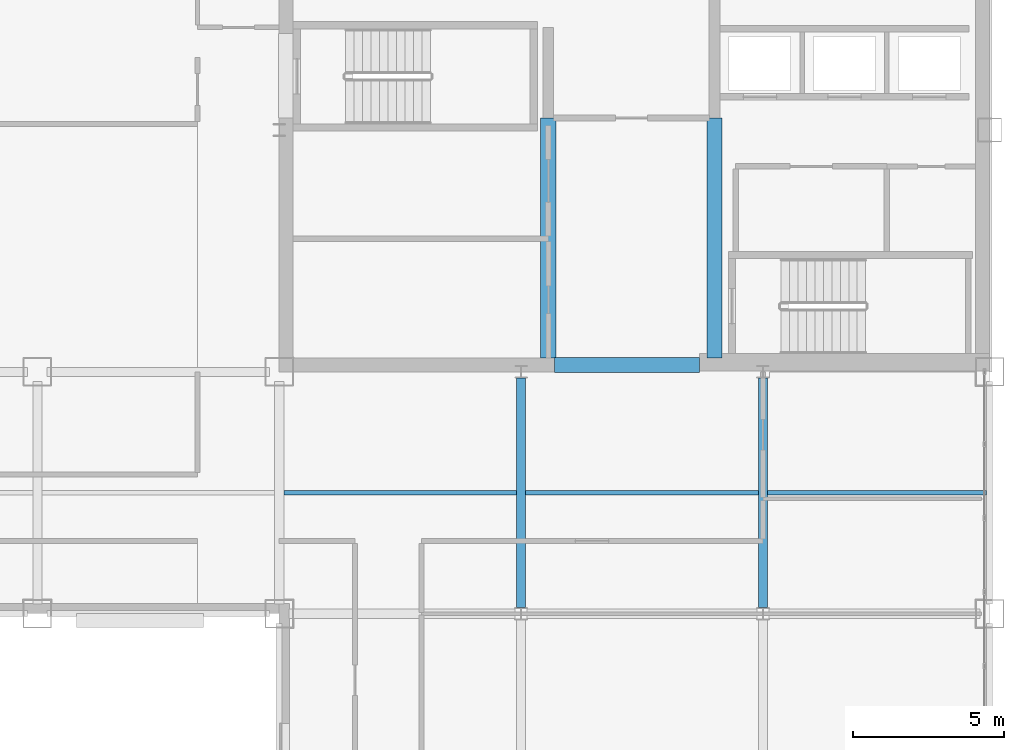
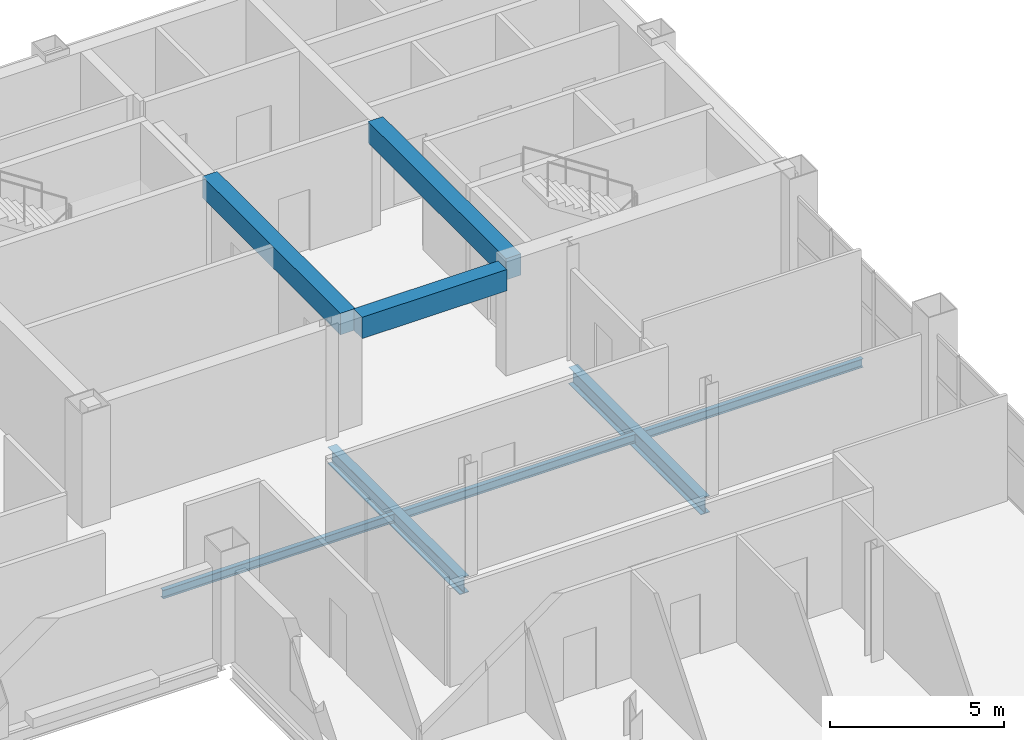
# One storey, part 5 of 12: 8 beams.
"""IFC4 building model written with IfcOpenShell, lengths in metres."""

from ifc_helpers import new_model, si_unit, direction, frame, origin, origin_2d, place, context, subcontext, project, spatial, rectangle, i_section, extrude, material, material_profile, profile_set, type_object, element, save


model = new_model("IFC4")

# Units and contexts
model_context = context("Model", 3, precision=1e-05, world=origin(), true_north=direction((0.0, 1.0)))
body_context = subcontext(model_context, "Body", "Model", "MODEL_VIEW")
ifc_project = project(units=[si_unit("LENGTHUNIT", "METRE"), si_unit("AREAUNIT", "SQUARE_METRE"), si_unit("VOLUMEUNIT", "CUBIC_METRE"), si_unit("PLANEANGLEUNIT", "RADIAN"), si_unit("MASSUNIT", "GRAM", prefix="KILO")], contexts=[model_context])

# Site, building, storey
site_placement = place(None, origin())
site = spatial("IfcSite", under=ifc_project, at=site_placement, CompositionType="ELEMENT")
building_placement = place(site_placement, origin())
building = spatial("IfcBuilding", under=site, at=building_placement, Name="Qianrong Seaharbour Tower", CompositionType="ELEMENT")
storey_placement = place(building_placement, frame((0.0, 0.0, 213.800048828125)))
storey = spatial("IfcBuildingStorey", under=building, at=storey_placement, Name="L51", CompositionType="ELEMENT", Elevation=213.800048828125)

# Beams
ifc_material_1 = material(Name="Structural steel SN490B", Category="steel")
ifc_material_profile_1 = material_profile(ifc_material_1, i_section(OverallWidth=0.300048828125, OverallDepth=0.587890625, WebThickness=0.011962890625, FlangeThickness=0.02001953125, FilletRadius=0.02392578125, at=origin_2d()), Name="H588x300x12x20")
ifc_profile_set_1 = profile_set([ifc_material_profile_1], Name="Structural steel SN490B")
beam_type_1 = type_object("IfcBeamType", Name="BM-G-588", PredefinedType="BEAM", material=ifc_profile_set_1)
for number, where, z_axis, x_axis, name in (
    (1, (48.5, 28.199951171875, -0.51904296875), (0.0, 1.0, 0.0), (-1.0, 0.0, 0.0), "L51 Primary Girder G7 GE-GF"),
    (2, (56.5, 28.199951171875, -0.51904296875), (0.0, 1.0, 0.0), (-1.0, 0.0, 0.0), "L51 Primary Girder G8 GE-GF"),
):
    element("IfcBeam", number, at=place(storey_placement, frame(where, z_axis=z_axis, x_axis=x_axis)), inside=storey, type_object=beam_type_1, Name=name, PredefinedType="BEAM", context=body_context, shape_type="SweptSolid", body=[
        extrude(i_section(OverallWidth=0.300048828125, OverallDepth=0.587890625, WebThickness=0.011962890625, FlangeThickness=0.02001953125, FilletRadius=0.02392578125, at=origin_2d()), origin(), (0.0, 0.0, 1.0), 7.60009765625),
    ])
ifc_material_2 = material(Name="Structural steel SN400B", Category="steel")
ifc_material_profile_2 = material_profile(ifc_material_2, i_section(OverallWidth=0.14990234375, OverallDepth=0.300048828125, WebThickness=0.006591796875, FlangeThickness=0.009033203125, FilletRadius=0.012939453125, at=origin_2d()), Name="H300x150x6.5x9")
ifc_profile_set_2 = profile_set([ifc_material_profile_2], Name="Structural steel SN400B")
beam_type_2 = type_object("IfcBeamType", Name="BM-J-300", PredefinedType="JOIST", material=ifc_profile_set_2)
for number, where, z_axis, x_axis, name in (
    (3, (40.64990234375, 32.0, -0.375), (1.0, 0.0, 0.0), (0.0, 1.0, 0.0), "L51 Composite Floor Joist G6-G7/GE-GF"),
    (4, (48.64990234375, 32.0, -0.375), (1.0, 0.0, 0.0), (0.0, 1.0, 0.0), "L51 Composite Floor Joist G7-G8/GE-GF"),
):
    element("IfcBeam", number, at=place(storey_placement, frame(where, z_axis=z_axis, x_axis=x_axis)), inside=storey, type_object=beam_type_2, Name=name, PredefinedType="JOIST", context=body_context, shape_type="SweptSolid", body=[
        extrude(i_section(OverallWidth=0.14990234375, OverallDepth=0.300048828125, WebThickness=0.006591796875, FlangeThickness=0.009033203125, FilletRadius=0.012939453125, at=origin_2d()), origin(), (0.0, 0.0, 1.0), 7.7001953125),
    ])
beam_1_placement = place(storey_placement, frame((56.64990234375, 32.0, -0.375), z_axis=(1.0, 0.0, 0.0), x_axis=(0.0, 1.0, 0.0)))
element("IfcBeam", 5, at=beam_1_placement, inside=storey, type_object=beam_type_2, Name="L51 Composite Floor Joist G8-G9/GE-GF", PredefinedType="JOIST", context=body_context, shape_type="SweptSolid", body=[
    extrude(i_section(OverallWidth=0.14990234375, OverallDepth=0.300048828125, WebThickness=0.006591796875, FlangeThickness=0.009033203125, FilletRadius=0.012939453125, at=origin_2d()), origin(), (0.0, 0.0, 1.0), 7.25),
])
ifc_material_3 = material(Name="Concrete C60/75", Category="concrete")
ifc_material_profile_3 = material_profile(ifc_material_3, rectangle(XDim=0.5, YDim=0.75, at=origin_2d()), Name="RC500x750")
ifc_profile_set_3 = profile_set([ifc_material_profile_3], Name="Concrete C60/75")
beam_type_3 = type_object("IfcBeamType", Name="BM-LINTEL-750", PredefinedType="LINTEL", material=ifc_profile_set_3)
beam_2_placement = place(storey_placement, frame((49.60009765625, 36.22998046875, 3.39990234375), z_axis=(1.0, 0.0, 0.0), x_axis=(0.0, 1.0, 0.0)))
element("IfcBeam", 6, at=beam_2_placement, inside=storey, type_object=beam_type_3, Name="L51 Core Coupling Lintel Beam CBC", PredefinedType="LINTEL", context=body_context, shape_type="SweptSolid", body=[
    extrude(rectangle(XDim=0.5, YDim=0.75, at=origin_2d()), origin(), (0.0, 0.0, 1.0), 4.7998046875),
])
for number, where, z_axis, x_axis, name in (
    (7, (49.39990234375, 36.4599609375, 3.39990234375), (0.0, 1.0, 0.0), (-1.0, 0.0, 0.0), "L51 Internal Core Coupling Beam IW1"),
    (8, (54.89990234375, 36.4599609375, 3.39990234375), (0.0, 1.0, 0.0), (-1.0, 0.0, 0.0), "L51 Internal Core Coupling Beam IW2"),
):
    element("IfcBeam", number, at=place(storey_placement, frame(where, z_axis=z_axis, x_axis=x_axis)), inside=storey, type_object=beam_type_3, Name=name, PredefinedType="LINTEL", context=body_context, shape_type="SweptSolid", body=[
        extrude(rectangle(XDim=0.5, YDim=0.75, at=origin_2d()), origin(), (0.0, 0.0, 1.0), 7.93994140625),
    ])

save(model, "model.ifc")
